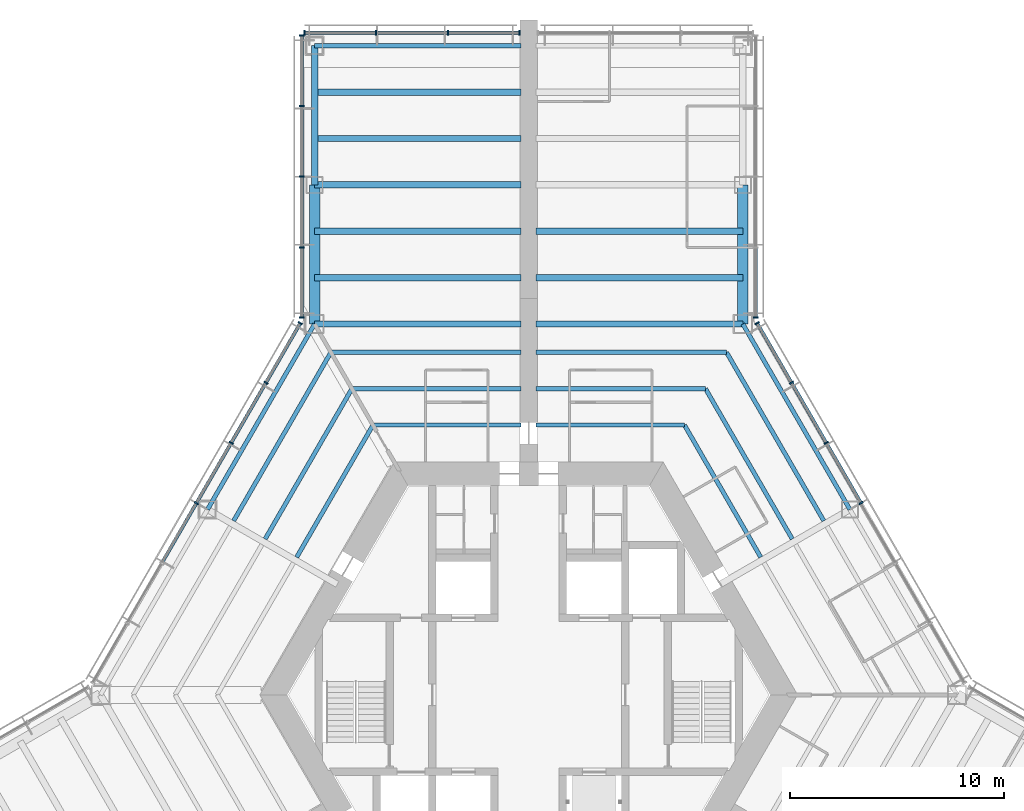
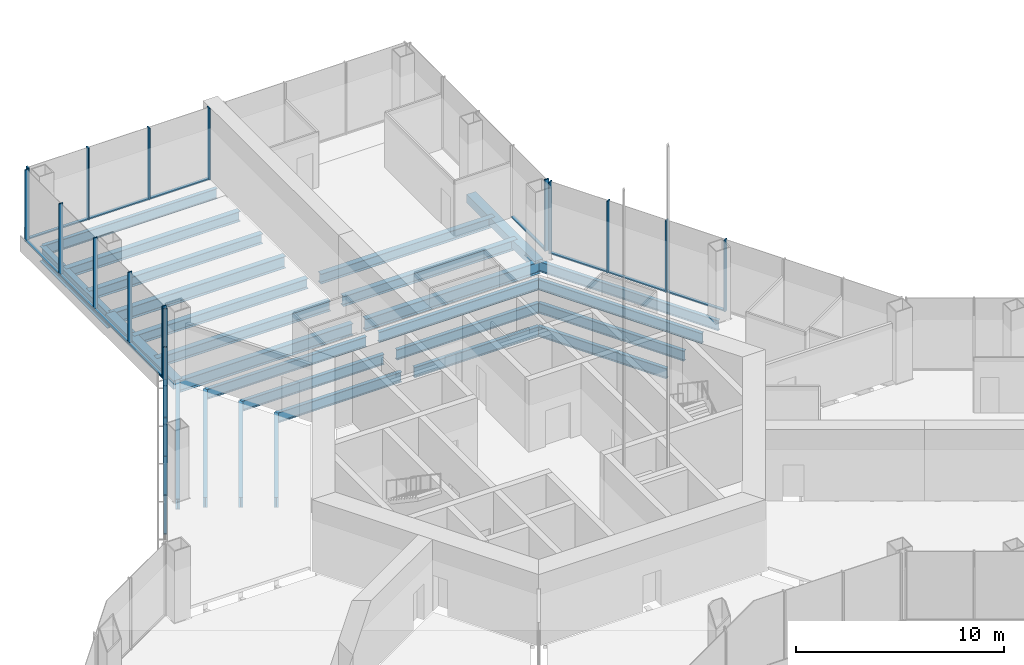
# One storey, part 6 of 18: 33 members, 27 beams, 5 elements without a shape of their own.
"""IFC4 building model written with IfcOpenShell, lengths in metres."""

from ifc_helpers import new_model, si_unit, direction, frame, origin, origin_2d, place, context, subcontext, project, spatial, rectangle, hollow_rectangle, i_section, extrude, material, material_profile, profile_set, type_object, element, aggregate, save


model = new_model("IFC4")

# Units and contexts
model_context = context("Model", 3, precision=1e-05, world=origin(), true_north=direction((0.0, 1.0)))
body_context = subcontext(model_context, "Body", "Model", "MODEL_VIEW")
ifc_project = project(units=[si_unit("LENGTHUNIT", "METRE"), si_unit("AREAUNIT", "SQUARE_METRE"), si_unit("VOLUMEUNIT", "CUBIC_METRE"), si_unit("PLANEANGLEUNIT", "RADIAN"), si_unit("MASSUNIT", "GRAM", prefix="KILO")], contexts=[model_context])

# Site, building, storey
site_placement = place(None, origin())
site = spatial("IfcSite", under=ifc_project, at=site_placement, CompositionType="ELEMENT")
building_placement = place(site_placement, origin())
building = spatial("IfcBuilding", under=site, at=building_placement, Name="Kasaneha Research Tower", CompositionType="ELEMENT")
storey_placement = place(building_placement, frame((0.0, 0.0, 57.0)))
storey = spatial("IfcBuildingStorey", under=building, at=storey_placement, Name="L14", CompositionType="ELEMENT", Elevation=57.0)

# Beams
ifc_material_1 = material(Name="Steel SN490B", Category="steel")
ifc_material_profile_1 = material_profile(ifc_material_1, i_section(OverallWidth=0.199951171875, OverallDepth=0.60009765625, WebThickness=0.010986328125, FlangeThickness=0.01708984375, FilletRadius=0.012939453125, at=origin_2d()), Name="H-600x200x11x17")
ifc_profile_set_1 = profile_set([ifc_material_profile_1], Name="Steel SN490B")
beam_type_1 = type_object("IfcBeamType", Name="B1-4 secondary beam H-600x200x11x17", PredefinedType="JOIST", material=ifc_profile_set_1)
beam_1_placement = place(storey_placement, frame((7.274658203125, 12.60009765625, -0.469970703125), z_axis=(0.499990404686, -0.866030943571, 0.0), x_axis=(0.866030943571, 0.499990404686, 0.0)))
element("IfcBeam", 1, at=beam_1_placement, inside=storey, type_object=beam_type_1, Name="Secondary beam RS030R1 L14", PredefinedType="JOIST", context=body_context, shape_type="SweptSolid", body=[
    extrude(i_section(OverallWidth=0.199951171875, OverallDepth=0.60009765625, WebThickness=0.010986328125, FlangeThickness=0.01708984375, FilletRadius=0.012939453125, at=origin_2d()), origin(), (0.0, 0.0, 1.0), 7.124755859375),
])
beam_2_placement = place(storey_placement, frame((8.256103515625, 14.300048828125, -0.469970703125), z_axis=(0.499984030215, -0.866034623748, 0.0), x_axis=(0.866034623748, 0.499984030215, 0.0)))
element("IfcBeam", 2, at=beam_2_placement, inside=storey, type_object=beam_type_1, Name="Secondary beam RS030R2 L14", PredefinedType="JOIST", context=body_context, shape_type="SweptSolid", body=[
    extrude(i_section(OverallWidth=0.199951171875, OverallDepth=0.60009765625, WebThickness=0.010986328125, FlangeThickness=0.01708984375, FilletRadius=0.012939453125, at=origin_2d()), origin(), (0.0, 0.0, 1.0), 8.106201171875),
])
beam_3_placement = place(storey_placement, frame((9.237548828125, 16.0, -0.469970703125), z_axis=(0.500010814234, -0.866019160093, 0.0), x_axis=(0.866019160093, 0.500010814234, 0.0)))
element("IfcBeam", 3, at=beam_3_placement, inside=storey, type_object=beam_type_1, Name="Secondary beam RS030R3 L14", PredefinedType="JOIST", context=body_context, shape_type="SweptSolid", body=[
    extrude(i_section(OverallWidth=0.199951171875, OverallDepth=0.60009765625, WebThickness=0.010986328125, FlangeThickness=0.01708984375, FilletRadius=0.012939453125, at=origin_2d()), origin(), (0.0, 0.0, 1.0), 9.087646484375),
])
beam_4_placement = place(storey_placement, frame((7.274658203125, 12.60009765625, -0.469970703125), z_axis=(-1.0, 0.0, 0.0), x_axis=(0.0, -1.0, 0.0)))
element("IfcBeam", 4, at=beam_4_placement, inside=storey, type_object=beam_type_1, Name="Secondary beam RS090L1 L14", PredefinedType="JOIST", context=body_context, shape_type="SweptSolid", body=[
    extrude(i_section(OverallWidth=0.199951171875, OverallDepth=0.60009765625, WebThickness=0.010986328125, FlangeThickness=0.01708984375, FilletRadius=0.012939453125, at=origin_2d()), origin(), (0.0, 0.0, 1.0), 6.924560546875),
])
beam_5_placement = place(storey_placement, frame((8.256103515625, 14.300048828125, -0.469970703125), z_axis=(-1.0, 0.0, 0.0), x_axis=(0.0, -1.0, 0.0)))
element("IfcBeam", 5, at=beam_5_placement, inside=storey, type_object=beam_type_1, Name="Secondary beam RS090L2 L14", PredefinedType="JOIST", context=body_context, shape_type="SweptSolid", body=[
    extrude(i_section(OverallWidth=0.199951171875, OverallDepth=0.60009765625, WebThickness=0.010986328125, FlangeThickness=0.01708984375, FilletRadius=0.012939453125, at=origin_2d()), origin(), (0.0, 0.0, 1.0), 7.906005859375),
])
beam_6_placement = place(storey_placement, frame((9.237548828125, 16.0, -0.469970703125), z_axis=(-1.0, 0.0, 0.0), x_axis=(0.0, -1.0, 0.0)))
element("IfcBeam", 6, at=beam_6_placement, inside=storey, type_object=beam_type_1, Name="Secondary beam RS090L3 L14", PredefinedType="JOIST", context=body_context, shape_type="SweptSolid", body=[
    extrude(i_section(OverallWidth=0.199951171875, OverallDepth=0.60009765625, WebThickness=0.010986328125, FlangeThickness=0.01708984375, FilletRadius=0.012939453125, at=origin_2d()), origin(), (0.0, 0.0, 1.0), 8.887451171875),
])
beam_7_placement = place(storey_placement, frame((-7.274658203125, 12.60009765625, -0.469970703125), z_axis=(1.0, 0.0, 0.0), x_axis=(0.0, 1.0, 0.0)))
element("IfcBeam", 7, at=beam_7_placement, inside=storey, type_object=beam_type_1, Name="Secondary beam RS090R1 L14", PredefinedType="JOIST", context=body_context, shape_type="SweptSolid", body=[
    extrude(i_section(OverallWidth=0.199951171875, OverallDepth=0.60009765625, WebThickness=0.010986328125, FlangeThickness=0.01708984375, FilletRadius=0.012939453125, at=origin_2d()), origin(), (0.0, 0.0, 1.0), 6.924560546875),
])
beam_8_placement = place(storey_placement, frame((-8.256103515625, 14.300048828125, -0.469970703125), z_axis=(1.0, 0.0, 0.0), x_axis=(0.0, 1.0, 0.0)))
element("IfcBeam", 8, at=beam_8_placement, inside=storey, type_object=beam_type_1, Name="Secondary beam RS090R2 L14", PredefinedType="JOIST", context=body_context, shape_type="SweptSolid", body=[
    extrude(i_section(OverallWidth=0.199951171875, OverallDepth=0.60009765625, WebThickness=0.010986328125, FlangeThickness=0.01708984375, FilletRadius=0.012939453125, at=origin_2d()), origin(), (0.0, 0.0, 1.0), 7.906005859375),
])
beam_9_placement = place(storey_placement, frame((-9.237548828125, 16.0, -0.469970703125), z_axis=(1.0, 0.0, 0.0), x_axis=(0.0, 1.0, 0.0)))
element("IfcBeam", 9, at=beam_9_placement, inside=storey, type_object=beam_type_1, Name="Secondary beam RS090R3 L14", PredefinedType="JOIST", context=body_context, shape_type="SweptSolid", body=[
    extrude(i_section(OverallWidth=0.199951171875, OverallDepth=0.60009765625, WebThickness=0.010986328125, FlangeThickness=0.01708984375, FilletRadius=0.012939453125, at=origin_2d()), origin(), (0.0, 0.0, 1.0), 8.887451171875),
])
beam_10_placement = place(storey_placement, frame((-7.274658203125, 12.60009765625, -0.469970703125), z_axis=(-0.499990404686, -0.866030943571, 0.0), x_axis=(0.866030943571, -0.499990404686, 0.0)))
element("IfcBeam", 10, at=beam_10_placement, inside=storey, type_object=beam_type_1, Name="Secondary beam RS150L1 L14", PredefinedType="JOIST", context=body_context, shape_type="SweptSolid", body=[
    extrude(i_section(OverallWidth=0.199951171875, OverallDepth=0.60009765625, WebThickness=0.010986328125, FlangeThickness=0.01708984375, FilletRadius=0.012939453125, at=origin_2d()), origin(), (0.0, 0.0, 1.0), 7.124755859375),
])
beam_11_placement = place(storey_placement, frame((-8.256103515625, 14.300048828125, -0.469970703125), z_axis=(-0.499984030215, -0.866034623748, 0.0), x_axis=(0.866034623748, -0.499984030215, 0.0)))
element("IfcBeam", 11, at=beam_11_placement, inside=storey, type_object=beam_type_1, Name="Secondary beam RS150L2 L14", PredefinedType="JOIST", context=body_context, shape_type="SweptSolid", body=[
    extrude(i_section(OverallWidth=0.199951171875, OverallDepth=0.60009765625, WebThickness=0.010986328125, FlangeThickness=0.01708984375, FilletRadius=0.012939453125, at=origin_2d()), origin(), (0.0, 0.0, 1.0), 8.106201171875),
])
beam_12_placement = place(storey_placement, frame((-9.237548828125, 16.0, -0.469970703125), z_axis=(-0.500010814234, -0.866019160093, 0.0), x_axis=(0.866019160093, -0.500010814234, 0.0)))
element("IfcBeam", 12, at=beam_12_placement, inside=storey, type_object=beam_type_1, Name="Secondary beam RS150L3 L14", PredefinedType="JOIST", context=body_context, shape_type="SweptSolid", body=[
    extrude(i_section(OverallWidth=0.199951171875, OverallDepth=0.60009765625, WebThickness=0.010986328125, FlangeThickness=0.01708984375, FilletRadius=0.012939453125, at=origin_2d()), origin(), (0.0, 0.0, 1.0), 9.087646484375),
])
ifc_material_2 = material(Name="Steel SN490B", Category="steel")
ifc_material_profile_2 = material_profile(ifc_material_2, i_section(OverallWidth=0.300048828125, OverallDepth=0.58203125, WebThickness=0.011962890625, FlangeThickness=0.01708984375, FilletRadius=0.012939453125, at=origin_2d()), Name="H-582x300x12x17")
ifc_profile_set_2 = profile_set([ifc_material_profile_2], Name="Steel SN490B")
beam_type_2 = type_object("IfcBeamType", Name="B2-4 secondary beam H-582x300x12x17", PredefinedType="JOIST", material=ifc_profile_set_2)
for number, where, z_axis, x_axis, name in (
    (13, (10.0, 19.487060546875, -0.4609375), (-1.0, 0.0, 0.0), (0.0, -1.0, 0.0), "Secondary beam WBAP1 L14"),
    (14, (10.0, 21.65380859375, -0.4609375), (-1.0, 0.0, 0.0), (0.0, -1.0, 0.0), "Secondary beam WBAP2 L14"),
    (15, (-10.0, 19.487060546875, -0.4609375), (1.0, 0.0, 0.0), (0.0, 1.0, 0.0), "Secondary beam WBAN1 L14"),
    (16, (-10.0, 21.65380859375, -0.4609375), (1.0, 0.0, 0.0), (0.0, 1.0, 0.0), "Secondary beam WBAN2 L14"),
    (17, (-10.0, 25.987060546875, -0.4609375), (1.0, 0.0, 0.0), (0.0, 1.0, 0.0), "Secondary beam WBAN3 L14"),
    (18, (-10.0, 28.15380859375, -0.4609375), (1.0, 0.0, 0.0), (0.0, 1.0, 0.0), "Secondary beam WBAN4 L14"),
):
    element("IfcBeam", number, at=place(storey_placement, frame(where, z_axis=z_axis, x_axis=x_axis)), inside=storey, type_object=beam_type_2, Name=name, PredefinedType="JOIST", context=body_context, shape_type="SweptSolid", body=[
        extrude(i_section(OverallWidth=0.300048828125, OverallDepth=0.58203125, WebThickness=0.011962890625, FlangeThickness=0.01708984375, FilletRadius=0.012939453125, at=origin_2d()), origin(), (0.0, 0.0, 1.0), 9.64990234375),
    ])
ifc_material_3 = material(Name="Steel SN490B", Category="steel")
ifc_material_profile_3 = material_profile(ifc_material_3, hollow_rectangle(XDim=0.5, YDim=0.5, WallThickness=0.02197265625, at=origin_2d()), Name="BOX-500x500x22")
ifc_profile_set_3 = profile_set([ifc_material_profile_3], Name="Steel SN490B")
beam_type_3 = type_object("IfcBeamType", Name="BC1-4 belt chord BOX-500x500x22", PredefinedType="BEAM", material=ifc_profile_set_3)
for number, where, z_axis, x_axis, name in (
    (19, (10.0, 17.320556640625, -0.419921875), (0.0, 1.0, 0.0), (-1.0, 0.0, 0.0), "Belt chord WSAP1 L14"),
    (20, (-10.0, 17.320556640625, -0.419921875), (0.0, 1.0, 0.0), (-1.0, 0.0, 0.0), "Belt chord WSAN1 L14"),
):
    element("IfcBeam", number, at=place(storey_placement, frame(where, z_axis=z_axis, x_axis=x_axis)), inside=storey, type_object=beam_type_3, Name=name, PredefinedType="BEAM", context=body_context, shape_type="SweptSolid", body=[
        extrude(hollow_rectangle(XDim=0.5, YDim=0.5, WallThickness=0.02197265625, at=origin_2d()), origin(), (0.0, 0.0, 1.0), 6.5),
    ])

# Curtain wall, members
ifc_material_4 = material(Name="Glass and aluminium", Category="aluminium")
curtain_wall_type = type_object("IfcCurtainWallType", Name="Sky lobby curtain wall", PredefinedType="USERDEFINED", material=ifc_material_4)
curtain_wall_1_placement = place(storey_placement, origin())
curtain_wall_1 = element("IfcCurtainWall", 21, at=curtain_wall_1_placement, inside=storey, type_object=curtain_wall_type, Name="CW-S L14 run 07a", ObjectType="UNITISED CURTAIN WALL", PredefinedType="USERDEFINED")
ifc_material_5 = material(Name="Aluminium 6063-T6", Category="aluminium")
ifc_material_profile_4 = material_profile(ifc_material_5, rectangle(XDim=0.070068359375, YDim=0.219970703125, at=origin_2d()), Name="CW-S mullion 70x220")
ifc_profile_set_4 = profile_set([ifc_material_profile_4], Name="Aluminium 6063-T6")
member_type_1 = type_object("IfcMemberType", Name="CW-S mullion", PredefinedType="MULLION", material=ifc_profile_set_4)
member_1_placement = place(storey_placement, frame((15.51953125, 8.960205078125, 0.0), z_axis=(0.0, 0.0, 1.0), x_axis=(-0.49999996188, 0.866025425793, 0.0)))
member_1 = element("IfcMember", 22, at=member_1_placement, type_object=member_type_1, Name="CW-S mullion 4", PredefinedType="MULLION", context=body_context, shape_type="SweptSolid", body=[
    extrude(rectangle(XDim=0.070068359375, YDim=0.219970703125, at=origin_2d()), origin(), (0.0, 0.0, 1.0), 4.199951171875),
])
member_2_placement = place(storey_placement, frame((13.896484375, 11.771728515625, 0.0), z_axis=(0.0, 0.0, 1.0), x_axis=(-0.49999996188, 0.866025425793, 0.0)))
member_2 = element("IfcMember", 23, at=member_2_placement, type_object=member_type_1, Name="CW-S mullion 5", PredefinedType="MULLION", context=body_context, shape_type="SweptSolid", body=[
    extrude(rectangle(XDim=0.070068359375, YDim=0.219970703125, at=origin_2d()), origin(), (0.0, 0.0, 1.0), 4.199951171875),
])
member_3_placement = place(storey_placement, frame((12.273193359375, 14.583251953125, 0.0), z_axis=(0.0, 0.0, 1.0), x_axis=(-0.49999996188, 0.866025425793, 0.0)))
member_3 = element("IfcMember", 24, at=member_3_placement, type_object=member_type_1, Name="CW-S mullion 6", PredefinedType="MULLION", context=body_context, shape_type="SweptSolid", body=[
    extrude(rectangle(XDim=0.070068359375, YDim=0.219970703125, at=origin_2d()), origin(), (0.0, 0.0, 1.0), 4.199951171875),
])
member_4_placement = place(storey_placement, frame((10.66748046875, 17.3642578125, 0.0), z_axis=(0.0, 0.0, 1.0), x_axis=(-0.49999996188, 0.866025425793, 0.0)))
member_4 = element("IfcMember", 25, at=member_4_placement, type_object=member_type_1, Name="CW-S mullion 7", PredefinedType="MULLION", context=body_context, shape_type="SweptSolid", body=[
    extrude(rectangle(XDim=0.070068359375, YDim=0.219970703125, at=origin_2d()), origin(), (0.0, 0.0, 1.0), 4.199951171875),
])

# Curtain wall, member
curtain_wall_2_placement = place(storey_placement, origin())
curtain_wall_2 = element("IfcCurtainWall", 26, at=curtain_wall_2_placement, inside=storey, type_object=curtain_wall_type, Name="CW-S L14 run 08a", ObjectType="UNITISED CURTAIN WALL", PredefinedType="USERDEFINED")
member_5_placement = place(storey_placement, frame((10.60009765625, 17.6162109375, 0.0), z_axis=(0.0, 0.0, 1.0), x_axis=(0.0, 1.0, 0.0)))
member_5 = element("IfcMember", 27, at=member_5_placement, type_object=member_type_1, Name="CW-S mullion 1", PredefinedType="MULLION", context=body_context, shape_type="SweptSolid", body=[
    extrude(rectangle(XDim=0.070068359375, YDim=0.219970703125, at=origin_2d()), origin(), (0.0, 0.0, 1.0), 4.199951171875),
])

# Curtain wall, members
curtain_wall_3_placement = place(storey_placement, origin())
curtain_wall_3 = element("IfcCurtainWall", 28, at=curtain_wall_3_placement, inside=storey, type_object=curtain_wall_type, Name="CW-S L14 run 10a", ObjectType="UNITISED CURTAIN WALL", PredefinedType="USERDEFINED")
member_6_placement = place(storey_placement, frame((-0.43505859375, 30.92041015625, 0.0), z_axis=(0.0, 0.0, 1.0), x_axis=(-1.0, 0.0, 0.0)))
member_6 = element("IfcMember", 29, at=member_6_placement, type_object=member_type_1, Name="CW-S mullion 1", PredefinedType="MULLION", context=body_context, shape_type="SweptSolid", body=[
    extrude(rectangle(XDim=0.070068359375, YDim=0.219970703125, at=origin_2d()), origin(), (0.0, 0.0, 1.0), 4.199951171875),
])
member_7_placement = place(storey_placement, frame((-3.7666015625, 30.92041015625, 0.0), z_axis=(0.0, 0.0, 1.0), x_axis=(-1.0, 0.0, 0.0)))
member_7 = element("IfcMember", 30, at=member_7_placement, type_object=member_type_1, Name="CW-S mullion 2", PredefinedType="MULLION", context=body_context, shape_type="SweptSolid", body=[
    extrude(rectangle(XDim=0.070068359375, YDim=0.219970703125, at=origin_2d()), origin(), (0.0, 0.0, 1.0), 4.199951171875),
])
member_8_placement = place(storey_placement, frame((-7.13330078125, 30.92041015625, 0.0), z_axis=(0.0, 0.0, 1.0), x_axis=(-1.0, 0.0, 0.0)))
member_8 = element("IfcMember", 31, at=member_8_placement, type_object=member_type_1, Name="CW-S mullion 3", PredefinedType="MULLION", context=body_context, shape_type="SweptSolid", body=[
    extrude(rectangle(XDim=0.070068359375, YDim=0.219970703125, at=origin_2d()), origin(), (0.0, 0.0, 1.0), 4.199951171875),
])
member_9_placement = place(storey_placement, frame((-10.465087890625, 30.92041015625, 0.0), z_axis=(0.0, 0.0, 1.0), x_axis=(-1.0, 0.0, 0.0)))
member_9 = element("IfcMember", 32, at=member_9_placement, type_object=member_type_1, Name="CW-S mullion 4", PredefinedType="MULLION", context=body_context, shape_type="SweptSolid", body=[
    extrude(rectangle(XDim=0.070068359375, YDim=0.219970703125, at=origin_2d()), origin(), (0.0, 0.0, 1.0), 4.199951171875),
])

curtain_wall_4_placement = place(storey_placement, origin())
curtain_wall_4 = element("IfcCurtainWall", 33, at=curtain_wall_4_placement, inside=storey, type_object=curtain_wall_type, Name="CW-S L14 run 11a", ObjectType="UNITISED CURTAIN WALL", PredefinedType="USERDEFINED")
member_10_placement = place(storey_placement, frame((-10.60009765625, 30.785400390625, 0.0), z_axis=(0.0, 0.0, 1.0), x_axis=(0.0, -1.0, 0.0)))
member_10 = element("IfcMember", 34, at=member_10_placement, type_object=member_type_1, Name="CW-S mullion 1", PredefinedType="MULLION", context=body_context, shape_type="SweptSolid", body=[
    extrude(rectangle(XDim=0.070068359375, YDim=0.219970703125, at=origin_2d()), origin(), (0.0, 0.0, 1.0), 4.199951171875),
])
member_11_placement = place(storey_placement, frame((-10.60009765625, 27.5107421875, 0.0), z_axis=(0.0, 0.0, 1.0), x_axis=(0.0, -1.0, 0.0)))
member_11 = element("IfcMember", 35, at=member_11_placement, type_object=member_type_1, Name="CW-S mullion 2", PredefinedType="MULLION", context=body_context, shape_type="SweptSolid", body=[
    extrude(rectangle(XDim=0.070068359375, YDim=0.219970703125, at=origin_2d()), origin(), (0.0, 0.0, 1.0), 4.199951171875),
])
member_12_placement = place(storey_placement, frame((-10.60009765625, 24.200927734375, 0.0), z_axis=(0.0, 0.0, 1.0), x_axis=(0.0, -1.0, 0.0)))
member_12 = element("IfcMember", 36, at=member_12_placement, type_object=member_type_1, Name="CW-S mullion 3", PredefinedType="MULLION", context=body_context, shape_type="SweptSolid", body=[
    extrude(rectangle(XDim=0.070068359375, YDim=0.219970703125, at=origin_2d()), origin(), (0.0, 0.0, 1.0), 4.199951171875),
])
member_13_placement = place(storey_placement, frame((-10.60009765625, 20.89111328125, 0.0), z_axis=(0.0, 0.0, 1.0), x_axis=(0.0, -1.0, 0.0)))
member_13 = element("IfcMember", 37, at=member_13_placement, type_object=member_type_1, Name="CW-S mullion 4", PredefinedType="MULLION", context=body_context, shape_type="SweptSolid", body=[
    extrude(rectangle(XDim=0.070068359375, YDim=0.219970703125, at=origin_2d()), origin(), (0.0, 0.0, 1.0), 4.199951171875),
])
member_14_placement = place(storey_placement, frame((-10.60009765625, 17.6162109375, 0.0), z_axis=(0.0, 0.0, 1.0), x_axis=(0.0, -1.0, 0.0)))
member_14 = element("IfcMember", 38, at=member_14_placement, type_object=member_type_1, Name="CW-S mullion 5", PredefinedType="MULLION", context=body_context, shape_type="SweptSolid", body=[
    extrude(rectangle(XDim=0.070068359375, YDim=0.219970703125, at=origin_2d()), origin(), (0.0, 0.0, 1.0), 4.199951171875),
])

curtain_wall_5_placement = place(storey_placement, origin())
curtain_wall_5 = element("IfcCurtainWall", 39, at=curtain_wall_5_placement, inside=storey, type_object=curtain_wall_type, Name="CW-S L14 run 12a", ObjectType="UNITISED CURTAIN WALL", PredefinedType="USERDEFINED")
member_15_placement = place(storey_placement, frame((-10.66748046875, 17.3642578125, 0.0), z_axis=(0.0, 0.0, 1.0), x_axis=(-0.49999996188, -0.866025425793, 0.0)))
member_15 = element("IfcMember", 40, at=member_15_placement, type_object=member_type_1, Name="CW-S mullion 1", PredefinedType="MULLION", context=body_context, shape_type="SweptSolid", body=[
    extrude(rectangle(XDim=0.070068359375, YDim=0.219970703125, at=origin_2d()), origin(), (0.0, 0.0, 1.0), 4.199951171875),
])
member_16_placement = place(storey_placement, frame((-12.273193359375, 14.583251953125, 0.0), z_axis=(0.0, 0.0, 1.0), x_axis=(-0.49999996188, -0.866025425793, 0.0)))
member_16 = element("IfcMember", 41, at=member_16_placement, type_object=member_type_1, Name="CW-S mullion 2", PredefinedType="MULLION", context=body_context, shape_type="SweptSolid", body=[
    extrude(rectangle(XDim=0.070068359375, YDim=0.219970703125, at=origin_2d()), origin(), (0.0, 0.0, 1.0), 4.199951171875),
])
member_17_placement = place(storey_placement, frame((-13.896484375, 11.771728515625, 0.0), z_axis=(0.0, 0.0, 1.0), x_axis=(-0.49999996188, -0.866025425793, 0.0)))
member_17 = element("IfcMember", 42, at=member_17_placement, type_object=member_type_1, Name="CW-S mullion 3", PredefinedType="MULLION", context=body_context, shape_type="SweptSolid", body=[
    extrude(rectangle(XDim=0.070068359375, YDim=0.219970703125, at=origin_2d()), origin(), (0.0, 0.0, 1.0), 4.199951171875),
])
member_18_placement = place(storey_placement, frame((-15.51953125, 8.960205078125, 0.0), z_axis=(0.0, 0.0, 1.0), x_axis=(-0.49999996188, -0.866025425793, 0.0)))
member_18 = element("IfcMember", 43, at=member_18_placement, type_object=member_type_1, Name="CW-S mullion 4", PredefinedType="MULLION", context=body_context, shape_type="SweptSolid", body=[
    extrude(rectangle(XDim=0.070068359375, YDim=0.219970703125, at=origin_2d()), origin(), (0.0, 0.0, 1.0), 4.199951171875),
])

# Member
ifc_material_6 = material(Name="Aluminium 6063-T6", Category="aluminium")
ifc_material_profile_5 = material_profile(ifc_material_6, rectangle(XDim=0.159912109375, YDim=0.070068359375, at=origin_2d()), Name="CW-S transom 160x70")
ifc_profile_set_5 = profile_set([ifc_material_profile_5], Name="Aluminium 6063-T6")
member_type_2 = type_object("IfcMemberType", Name="CW-S transom", PredefinedType="USERDEFINED", material=ifc_profile_set_5)
member_19_placement = place(storey_placement, frame((15.502197265625, 8.990478515625, 0.034912109375), z_axis=(-0.500024046082, 0.866011520327, 0.0), x_axis=(-0.866011520327, -0.500024046082, 0.0)))
member_19 = element("IfcMember", 44, at=member_19_placement, type_object=member_type_2, Name="CW-S transom 4", ObjectType="TRANSOM", PredefinedType="USERDEFINED", context=body_context, shape_type="SweptSolid", body=[
    extrude(rectangle(XDim=0.159912109375, YDim=0.070068359375, at=origin_2d()), origin(), (0.0, 0.0, 1.0), 3.176513671875),
])

member_20_placement = place(storey_placement, frame((13.87890625, 11.802001953125, 0.034912109375), z_axis=(-0.499966402733, 0.866044800307, 0.0), x_axis=(-0.866044800307, -0.499966402733, 0.0)))
member_20 = element("IfcMember", 45, at=member_20_placement, type_object=member_type_2, Name="CW-S transom 5", ObjectType="TRANSOM", PredefinedType="USERDEFINED", context=body_context, shape_type="SweptSolid", body=[
    extrude(rectangle(XDim=0.159912109375, YDim=0.070068359375, at=origin_2d()), origin(), (0.0, 0.0, 1.0), 3.176513671875),
])

member_21_placement = place(storey_placement, frame((12.255615234375, 14.613525390625, 0.034912109375), z_axis=(-0.499975864706, 0.866039337855, 0.0), x_axis=(-0.866039337855, -0.499975864706, 0.0)))
member_21 = element("IfcMember", 46, at=member_21_placement, type_object=member_type_2, Name="CW-S transom 6", ObjectType="TRANSOM", PredefinedType="USERDEFINED", context=body_context, shape_type="SweptSolid", body=[
    extrude(rectangle(XDim=0.159912109375, YDim=0.070068359375, at=origin_2d()), origin(), (0.0, 0.0, 1.0), 3.141357421875),
])

aggregate(curtain_wall_1, [member_1, member_2, member_3, member_4, member_19, member_20, member_21])

member_22_placement = place(storey_placement, frame((10.60009765625, 17.6513671875, 0.034912109375), z_axis=(0.0, 1.0, 0.0), x_axis=(-1.0, 0.0, 0.0)))
member_22 = element("IfcMember", 47, at=member_22_placement, type_object=member_type_2, Name="CW-S transom 1", ObjectType="TRANSOM", PredefinedType="USERDEFINED", context=body_context, shape_type="SweptSolid", body=[
    extrude(rectangle(XDim=0.159912109375, YDim=0.070068359375, at=origin_2d()), origin(), (0.0, 0.0, 1.0), 3.204833984375),
])

aggregate(curtain_wall_2, [member_5, member_22])

member_23_placement = place(storey_placement, frame((-0.469970703125, 30.92041015625, 0.034912109375), z_axis=(-1.0, 0.0, 0.0), x_axis=(0.0, -1.0, 0.0)))
member_23 = element("IfcMember", 48, at=member_23_placement, type_object=member_type_2, Name="CW-S transom 1", ObjectType="TRANSOM", PredefinedType="USERDEFINED", context=body_context, shape_type="SweptSolid", body=[
    extrude(rectangle(XDim=0.159912109375, YDim=0.070068359375, at=origin_2d()), origin(), (0.0, 0.0, 1.0), 3.26171875),
])

member_24_placement = place(storey_placement, frame((-3.8017578125, 30.92041015625, 0.034912109375), z_axis=(-1.0, 0.0, 0.0), x_axis=(0.0, -1.0, 0.0)))
member_24 = element("IfcMember", 49, at=member_24_placement, type_object=member_type_2, Name="CW-S transom 2", ObjectType="TRANSOM", PredefinedType="USERDEFINED", context=body_context, shape_type="SweptSolid", body=[
    extrude(rectangle(XDim=0.159912109375, YDim=0.070068359375, at=origin_2d()), origin(), (0.0, 0.0, 1.0), 3.296630859375),
])

member_25_placement = place(storey_placement, frame((-7.168212890625, 30.92041015625, 0.034912109375), z_axis=(-1.0, 0.0, 0.0), x_axis=(0.0, -1.0, 0.0)))
member_25 = element("IfcMember", 50, at=member_25_placement, type_object=member_type_2, Name="CW-S transom 3", ObjectType="TRANSOM", PredefinedType="USERDEFINED", context=body_context, shape_type="SweptSolid", body=[
    extrude(rectangle(XDim=0.159912109375, YDim=0.070068359375, at=origin_2d()), origin(), (0.0, 0.0, 1.0), 3.26171875),
])

aggregate(curtain_wall_3, [member_6, member_7, member_8, member_9, member_23, member_24, member_25])

member_26_placement = place(storey_placement, frame((-10.60009765625, 30.75048828125, 0.034912109375), z_axis=(0.0, -1.0, 0.0), x_axis=(1.0, 0.0, 0.0)))
member_26 = element("IfcMember", 51, at=member_26_placement, type_object=member_type_2, Name="CW-S transom 1", ObjectType="TRANSOM", PredefinedType="USERDEFINED", context=body_context, shape_type="SweptSolid", body=[
    extrude(rectangle(XDim=0.159912109375, YDim=0.070068359375, at=origin_2d()), origin(), (0.0, 0.0, 1.0), 3.204833984375),
])

member_27_placement = place(storey_placement, frame((-10.60009765625, 27.4755859375, 0.034912109375), z_axis=(0.0, -1.0, 0.0), x_axis=(1.0, 0.0, 0.0)))
member_27 = element("IfcMember", 52, at=member_27_placement, type_object=member_type_2, Name="CW-S transom 2", ObjectType="TRANSOM", PredefinedType="USERDEFINED", context=body_context, shape_type="SweptSolid", body=[
    extrude(rectangle(XDim=0.159912109375, YDim=0.070068359375, at=origin_2d()), origin(), (0.0, 0.0, 1.0), 3.23974609375),
])

member_28_placement = place(storey_placement, frame((-10.60009765625, 24.165771484375, 0.034912109375), z_axis=(0.0, -1.0, 0.0), x_axis=(1.0, 0.0, 0.0)))
member_28 = element("IfcMember", 53, at=member_28_placement, type_object=member_type_2, Name="CW-S transom 3", ObjectType="TRANSOM", PredefinedType="USERDEFINED", context=body_context, shape_type="SweptSolid", body=[
    extrude(rectangle(XDim=0.159912109375, YDim=0.070068359375, at=origin_2d()), origin(), (0.0, 0.0, 1.0), 3.23974609375),
])

member_29_placement = place(storey_placement, frame((-10.60009765625, 20.856201171875, 0.034912109375), z_axis=(0.0, -1.0, 0.0), x_axis=(1.0, 0.0, 0.0)))
member_29 = element("IfcMember", 54, at=member_29_placement, type_object=member_type_2, Name="CW-S transom 4", ObjectType="TRANSOM", PredefinedType="USERDEFINED", context=body_context, shape_type="SweptSolid", body=[
    extrude(rectangle(XDim=0.159912109375, YDim=0.070068359375, at=origin_2d()), origin(), (0.0, 0.0, 1.0), 3.204833984375),
])

aggregate(curtain_wall_4, [member_10, member_11, member_12, member_13, member_14, member_26, member_27, member_28, member_29])

member_30_placement = place(storey_placement, frame((-10.68505859375, 17.333984375, 0.034912109375), z_axis=(-0.499975864706, -0.866039337855, 0.0), x_axis=(0.866039337855, -0.499975864706, 0.0)))
member_30 = element("IfcMember", 55, at=member_30_placement, type_object=member_type_2, Name="CW-S transom 1", ObjectType="TRANSOM", PredefinedType="USERDEFINED", context=body_context, shape_type="SweptSolid", body=[
    extrude(rectangle(XDim=0.159912109375, YDim=0.070068359375, at=origin_2d()), origin(), (0.0, 0.0, 1.0), 3.141357421875),
])

member_31_placement = place(storey_placement, frame((-12.290771484375, 14.552978515625, 0.034912109375), z_axis=(-0.499966402733, -0.866044800307, 0.0), x_axis=(0.866044800307, -0.499966402733, 0.0)))
member_31 = element("IfcMember", 56, at=member_31_placement, type_object=member_type_2, Name="CW-S transom 2", ObjectType="TRANSOM", PredefinedType="USERDEFINED", context=body_context, shape_type="SweptSolid", body=[
    extrude(rectangle(XDim=0.159912109375, YDim=0.070068359375, at=origin_2d()), origin(), (0.0, 0.0, 1.0), 3.176513671875),
])

member_32_placement = place(storey_placement, frame((-13.913818359375, 11.741455078125, 0.034912109375), z_axis=(-0.500024046082, -0.866011520327, 0.0), x_axis=(0.866011520327, -0.500024046082, 0.0)))
member_32 = element("IfcMember", 57, at=member_32_placement, type_object=member_type_2, Name="CW-S transom 3", ObjectType="TRANSOM", PredefinedType="USERDEFINED", context=body_context, shape_type="SweptSolid", body=[
    extrude(rectangle(XDim=0.159912109375, YDim=0.070068359375, at=origin_2d()), origin(), (0.0, 0.0, 1.0), 3.176513671875),
])

member_33_placement = place(storey_placement, frame((-15.537109375, 8.929931640625, 0.034912109375), z_axis=(-0.499999683919, -0.866025586274, 0.0), x_axis=(0.866025586274, -0.499999683919, 0.0)))
member_33 = element("IfcMember", 58, at=member_33_placement, type_object=member_type_2, Name="CW-S transom 4", ObjectType="TRANSOM", PredefinedType="USERDEFINED", context=body_context, shape_type="SweptSolid", body=[
    extrude(rectangle(XDim=0.159912109375, YDim=0.070068359375, at=origin_2d()), origin(), (0.0, 0.0, 1.0), 3.17626953125),
])

aggregate(curtain_wall_5, [member_15, member_16, member_17, member_18, member_30, member_31, member_32, member_33])

# Beams
ifc_material_7 = material(Name="Steel SN490B", Category="steel")
ifc_material_profile_6 = material_profile(ifc_material_7, i_section(OverallWidth=0.300048828125, OverallDepth=0.69189453125, WebThickness=0.012939453125, FlangeThickness=0.02001953125, FilletRadius=0.01806640625, at=origin_2d()), Name="H-692x300x13x20")
ifc_profile_set_6 = profile_set([ifc_material_profile_6], Name="Steel SN490B")
beam_type_4 = type_object("IfcBeamType", Name="G3-4 plate edge girder H-692x300x13x20", PredefinedType="BEAM", material=ifc_profile_set_6)
for number, where, z_axis, x_axis, name in (
    (59, (10.0, 17.320556640625, -0.51611328125), (-1.0, 0.0, 0.0), (0.0, -1.0, 0.0), "Plate edge girder PEAP L14"),
    (60, (-10.0, 17.320556640625, -0.51611328125), (1.0, 0.0, 0.0), (0.0, 1.0, 0.0), "Plate edge girder PEAN L14"),
):
    element("IfcBeam", number, at=place(storey_placement, frame(where, z_axis=z_axis, x_axis=x_axis)), inside=storey, type_object=beam_type_4, Name=name, PredefinedType="BEAM", context=body_context, shape_type="SweptSolid", body=[
        extrude(i_section(OverallWidth=0.300048828125, OverallDepth=0.69189453125, WebThickness=0.012939453125, FlangeThickness=0.02001953125, FilletRadius=0.01806640625, at=origin_2d()), origin(), (0.0, 0.0, 1.0), 9.64990234375),
    ])
ifc_material_8 = material(Name="Steel SN490B", Category="steel")
ifc_material_profile_7 = material_profile(ifc_material_8, i_section(OverallWidth=0.300048828125, OverallDepth=0.699951171875, WebThickness=0.012939453125, FlangeThickness=0.02392578125, FilletRadius=0.01806640625, at=origin_2d()), Name="H-700x300x13x24")
ifc_profile_set_7 = profile_set([ifc_material_profile_7], Name="Steel SN490B")
beam_type_5 = type_object("IfcBeamType", Name="G4-4 wing girder H-700x300x13x24", PredefinedType="BEAM", material=ifc_profile_set_7)
beam_13_placement = place(storey_placement, frame((-10.0, 23.820556640625, -0.52001953125), z_axis=(1.0, 0.0, 0.0), x_axis=(0.0, 1.0, 0.0)))
element("IfcBeam", 61, at=beam_13_placement, inside=storey, type_object=beam_type_5, Name="Wing girder WGAN L14", PredefinedType="BEAM", context=body_context, shape_type="SweptSolid", body=[
    extrude(i_section(OverallWidth=0.300048828125, OverallDepth=0.699951171875, WebThickness=0.012939453125, FlangeThickness=0.02392578125, FilletRadius=0.01806640625, at=origin_2d()), origin(), (0.0, 0.0, 1.0), 9.64990234375),
])
ifc_material_9 = material(Name="Steel SN490B", Category="steel")
ifc_material_profile_8 = material_profile(ifc_material_9, i_section(OverallWidth=0.198974609375, OverallDepth=0.595947265625, WebThickness=0.010009765625, FlangeThickness=0.014892578125, FilletRadius=0.012939453125, at=origin_2d()), Name="H-596x199x10x15")
ifc_profile_set_8 = profile_set([ifc_material_profile_8], Name="Steel SN490B")
beam_type_6 = type_object("IfcBeamType", Name="SB1-4 spandrel beam H-596x199x10x15", PredefinedType="SPANDREL", material=ifc_profile_set_8)
for number, where, z_axis, x_axis, name in (
    (62, (10.0, 17.320556640625, -0.468017578125), (0.499993662806, -0.866029062534, 0.0), (0.866029062534, 0.499993662806, 0.0), "Spandrel beam SR030R L14"),
    (63, (-10.0, 17.320556640625, -0.468017578125), (-0.499993662806, -0.866029062534, 0.0), (0.866029062534, -0.499993662806, 0.0), "Spandrel beam SR150L L14"),
):
    element("IfcBeam", number, at=place(storey_placement, frame(where, z_axis=z_axis, x_axis=x_axis)), inside=storey, type_object=beam_type_6, Name=name, PredefinedType="SPANDREL", context=body_context, shape_type="SweptSolid", body=[
        extrude(i_section(OverallWidth=0.198974609375, OverallDepth=0.595947265625, WebThickness=0.010009765625, FlangeThickness=0.014892578125, FilletRadius=0.012939453125, at=origin_2d()), origin(), (0.0, 0.0, 1.0), 10.000244140625),
    ])
ifc_material_10 = material(Name="Steel SN490B", Category="steel")
ifc_material_profile_9 = material_profile(ifc_material_10, i_section(OverallWidth=0.300048828125, OverallDepth=0.89990234375, WebThickness=0.01611328125, FlangeThickness=0.028076171875, FilletRadius=0.01806640625, at=origin_2d()), Name="H-900x300x16x28")
ifc_profile_set_9 = profile_set([ifc_material_profile_9], Name="Steel SN490B")
beam_type_7 = type_object("IfcBeamType", Name="SB2-4 spandrel beam H-900x300x16x28", PredefinedType="SPANDREL", material=ifc_profile_set_9)
beam_14_placement = place(storey_placement, frame((-10.0, 23.820556640625, -0.6201171875), z_axis=(0.0, 1.0, 0.0), x_axis=(-1.0, 0.0, 0.0)))
element("IfcBeam", 64, at=beam_14_placement, inside=storey, type_object=beam_type_7, Name="Spandrel beam WSAN2 L14", PredefinedType="SPANDREL", context=body_context, shape_type="SweptSolid", body=[
    extrude(i_section(OverallWidth=0.300048828125, OverallDepth=0.89990234375, WebThickness=0.01611328125, FlangeThickness=0.028076171875, FilletRadius=0.01806640625, at=origin_2d()), origin(), (0.0, 0.0, 1.0), 6.5),
])
ifc_material_11 = material(Name="Steel SN490B", Category="steel")
ifc_material_profile_10 = material_profile(ifc_material_11, i_section(OverallWidth=0.199951171875, OverallDepth=0.60009765625, WebThickness=0.010986328125, FlangeThickness=0.01708984375, FilletRadius=0.012939453125, at=origin_2d()), Name="H-600x200x11x17")
ifc_profile_set_10 = profile_set([ifc_material_profile_10], Name="Steel SN490B")
beam_type_8 = type_object("IfcBeamType", Name="SB3-4 spandrel beam H-600x200x11x17", PredefinedType="SPANDREL", material=ifc_profile_set_10)
beam_15_placement = place(storey_placement, frame((-10.0, 30.320556640625, -0.469970703125), z_axis=(1.0, 0.0, 0.0), x_axis=(0.0, 1.0, 0.0)))
element("IfcBeam", 65, at=beam_15_placement, inside=storey, type_object=beam_type_8, Name="Spandrel beam WTAN L14", PredefinedType="SPANDREL", context=body_context, shape_type="SweptSolid", body=[
    extrude(i_section(OverallWidth=0.199951171875, OverallDepth=0.60009765625, WebThickness=0.010986328125, FlangeThickness=0.01708984375, FilletRadius=0.012939453125, at=origin_2d()), origin(), (0.0, 0.0, 1.0), 9.64990234375),
])

save(model, "model.ifc")
